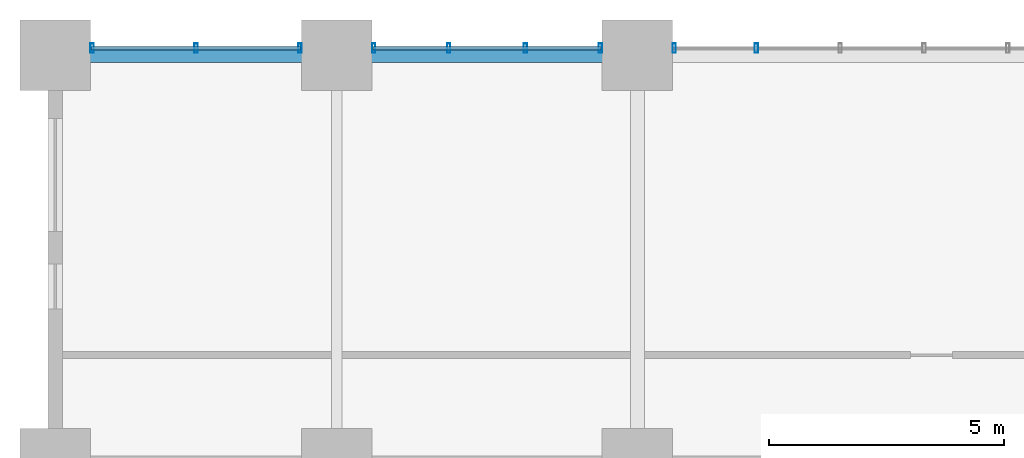
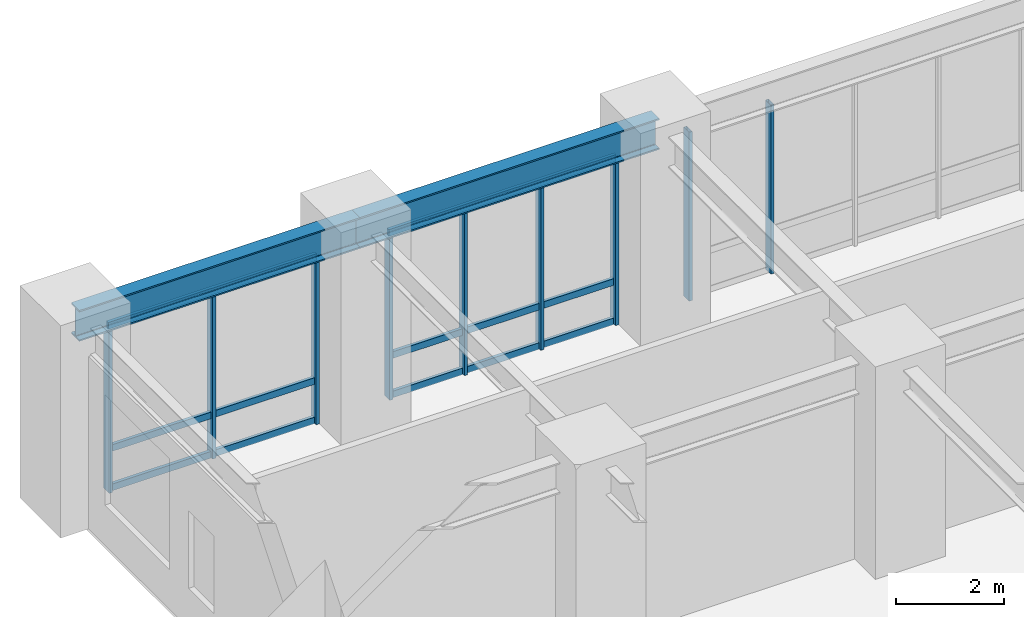
# One storey, part 2 of 22: 15 members, 2 beams, 3 elements without a shape of their own.
"""IFC4 building model written with IfcOpenShell, lengths in metres."""

from ifc_helpers import new_model, si_unit, direction, frame, origin, origin_2d, place, context, subcontext, project, spatial, hollow_rectangle, i_section, extrude, source, transform, mapped, material, layer, layer_set, material_profile, profile_set, type_object, element, aggregate, save


model = new_model("IFC4")

# Units and contexts
model_context = context("Model", 3, precision=1e-05, world=origin(), true_north=direction((0.0, 1.0)))
body_context = subcontext(model_context, "Body", "Model", "MODEL_VIEW")
ifc_project = project(units=[si_unit("LENGTHUNIT", "METRE"), si_unit("AREAUNIT", "SQUARE_METRE"), si_unit("VOLUMEUNIT", "CUBIC_METRE"), si_unit("PLANEANGLEUNIT", "RADIAN"), si_unit("MASSUNIT", "GRAM", prefix="KILO")], contexts=[model_context])

# Site, building, storey
site_placement = place(None, origin())
site = spatial("IfcSite", under=ifc_project, at=site_placement, CompositionType="ELEMENT")
building_placement = place(site_placement, origin())
building = spatial("IfcBuilding", under=site, at=building_placement, Name="Kaliganga Portal Commons", CompositionType="ELEMENT")
storey_placement = place(building_placement, frame((0.0, 0.0, 5.39990234375)))
storey = spatial("IfcBuildingStorey", under=building, at=storey_placement, Name="L01", CompositionType="ELEMENT", Elevation=5.39990234375)

# Beams
ifc_material_1 = material(Name="Structural steel S355J2", Category="steel")
ifc_material_profile_1 = material_profile(ifc_material_1, i_section(OverallWidth=0.300048828125, OverallDepth=0.699951171875, WebThickness=0.01708984375, FlangeThickness=0.031982421875, FilletRadius=0.027099609375, at=origin_2d()), Name="HE 700 B")
ifc_profile_set_1 = profile_set([ifc_material_profile_1], Name="Structural steel S355J2 wide-flange")
beam_type = type_object("IfcBeamType", Name="BM-GIRD-700", PredefinedType="USERDEFINED", material=ifc_profile_set_1)
shared_shape_1 = source(origin(), body_context, "Body", "SweptSolid", [
    extrude(i_section(OverallWidth=0.300048828125, OverallDepth=0.699951171875, WebThickness=0.01708984375, FlangeThickness=0.031982421875, FilletRadius=0.027099609375, at=origin_2d()), origin(), (0.0, 0.0, 1.0), 6.0),
])
beam_1_placement = place(storey_placement, frame((-12.0, 44.85009765625, 4.170166015625), z_axis=(1.0, 0.0, 0.0), x_axis=(0.0, 1.0, 0.0)))
element("IfcBeam", 1, at=beam_1_placement, inside=storey, type_object=beam_type, Name="BM PODW L01 Y44 1", ObjectType="GIRDER", PredefinedType="USERDEFINED", context=body_context, shape_type="MappedRepresentation", body=[
    mapped(shared_shape_1, transform((0.0, 0.0, 0.0), x_axis=(1.0, 0.0, 0.0), y_axis=(0.0, 1.0, 0.0), z_axis=(0.0, 0.0, 1.0), scale=1.0)),
])
shared_shape_2 = source(origin(), body_context, "Body", "SweptSolid", [
    extrude(i_section(OverallWidth=0.300048828125, OverallDepth=0.699951171875, WebThickness=0.01708984375, FlangeThickness=0.031982421875, FilletRadius=0.027099609375, at=origin_2d()), origin(), (0.0, 0.0, 1.0), 6.39990234375),
])
beam_2_placement = place(storey_placement, frame((-6.0, 44.85009765625, 4.170166015625), z_axis=(1.0, 0.0, 0.0), x_axis=(0.0, 1.0, 0.0)))
element("IfcBeam", 2, at=beam_2_placement, inside=storey, type_object=beam_type, Name="BM PODW L01 Y44 2", ObjectType="GIRDER", PredefinedType="USERDEFINED", context=body_context, shape_type="MappedRepresentation", body=[
    mapped(shared_shape_2, transform((0.0, 0.0, 0.0), x_axis=(1.0, 0.0, 0.0), y_axis=(0.0, 1.0, 0.0), z_axis=(0.0, 0.0, 1.0), scale=1.0)),
])

# Curtain wall, members
ifc_material_2 = material(Name="Anodized Aluminium and Laminated Low-E Glass", Category="aluminium")
ifc_layer = layer(ifc_material_2, 0.219970703125)
ifc_layer_set = layer_set([ifc_layer], Name="Anodized Aluminium and Laminated Low-E Glass")
curtain_wall_type = type_object("IfcCurtainWallType", Name="CW-SYS-01", PredefinedType="NOTDEFINED", material=ifc_layer_set)
curtain_wall_1_placement = place(storey_placement, origin())
curtain_wall_1 = element("IfcCurtainWall", 3, at=curtain_wall_1_placement, inside=storey, type_object=curtain_wall_type, Name="CW 01 L01 P1E02S9", PredefinedType="NOTDEFINED")
ifc_material_3 = material(Name="Dark Bronze Anodized Aluminium", Category="aluminium")
ifc_material_profile_2 = material_profile(ifc_material_3, hollow_rectangle(XDim=0.070068359375, YDim=0.14990234375, WallThickness=0.00341796875, at=origin_2d()), Name="ALU TRAN 70x150x3.5")
ifc_profile_set_2 = profile_set([ifc_material_profile_2], Name="Dark Bronze Anodized Aluminium")
member_type_1 = type_object("IfcMemberType", Name="CW-TRN-150", PredefinedType="USERDEFINED", material=ifc_profile_set_2)
shared_shape_3 = source(origin(), body_context, "Body", "SweptSolid", [
    extrude(hollow_rectangle(XDim=0.070068359375, YDim=0.14990234375, WallThickness=0.00341796875, at=origin_2d()), origin(), (0.0, 0.0, 1.0), 4.4580078125),
])
member_1_placement = place(storey_placement, frame((-6.77099609375, 45.0, 0.06005859375), z_axis=(-1.0, 0.0, 0.0), x_axis=(0.0, -1.0, 0.0)))
member_1 = element("IfcMember", 4, at=member_1_placement, type_object=member_type_1, Name="CW:01:L01:P1E02S9 Transom 1", ObjectType="TRANSOM", PredefinedType="USERDEFINED", context=body_context, shape_type="MappedRepresentation", body=[
    mapped(shared_shape_3, transform((0.0, 0.0, 0.0), x_axis=(1.0, 0.0, 0.0), y_axis=(0.0, 1.0, 0.0), z_axis=(0.0, 0.0, 1.0), scale=1.0)),
])
member_2_placement = place(storey_placement, frame((-6.77099609375, 45.0, 0.9501953125), z_axis=(-1.0, 0.0, 0.0), x_axis=(0.0, -1.0, 0.0)))
member_2 = element("IfcMember", 5, at=member_2_placement, type_object=member_type_1, Name="CW:01:L01:P1E02S9 Transom 2", ObjectType="TRANSOM", PredefinedType="USERDEFINED", context=body_context, shape_type="MappedRepresentation", body=[
    mapped(shared_shape_3, transform((0.0, 0.0, 0.0), x_axis=(1.0, 0.0, 0.0), y_axis=(0.0, 1.0, 0.0), z_axis=(0.0, 0.0, 1.0), scale=1.0)),
])
member_3_placement = place(storey_placement, frame((-6.77099609375, 45.0, 3.739990234375), z_axis=(-1.0, 0.0, 0.0), x_axis=(0.0, -1.0, 0.0)))
member_3 = element("IfcMember", 6, at=member_3_placement, type_object=member_type_1, Name="CW:01:L01:P1E02S9 Transom 3", ObjectType="TRANSOM", PredefinedType="USERDEFINED", context=body_context, shape_type="MappedRepresentation", body=[
    mapped(shared_shape_3, transform((0.0, 0.0, 0.0), x_axis=(1.0, 0.0, 0.0), y_axis=(0.0, 1.0, 0.0), z_axis=(0.0, 0.0, 1.0), scale=1.0)),
])

curtain_wall_2_placement = place(storey_placement, origin())
curtain_wall_2 = element("IfcCurtainWall", 7, at=curtain_wall_2_placement, inside=storey, type_object=curtain_wall_type, Name="CW 01 L01 P1E02S8", PredefinedType="NOTDEFINED")
shared_shape_4 = source(origin(), body_context, "Body", "SweptSolid", [
    extrude(hollow_rectangle(XDim=0.070068359375, YDim=0.14990234375, WallThickness=0.00341796875, at=origin_2d()), origin(), (0.0, 0.0, 1.0), 4.85791015625),
])
member_4_placement = place(storey_placement, frame((-0.37109375, 45.0, 0.06005859375), z_axis=(-1.0, 0.0, 0.0), x_axis=(0.0, -1.0, 0.0)))
member_4 = element("IfcMember", 8, at=member_4_placement, type_object=member_type_1, Name="CW:01:L01:P1E02S8 Transom 1", ObjectType="TRANSOM", PredefinedType="USERDEFINED", context=body_context, shape_type="MappedRepresentation", body=[
    mapped(shared_shape_4, transform((0.0, 0.0, 0.0), x_axis=(1.0, 0.0, 0.0), y_axis=(0.0, 1.0, 0.0), z_axis=(0.0, 0.0, 1.0), scale=1.0)),
])
member_5_placement = place(storey_placement, frame((-0.37109375, 45.0, 0.9501953125), z_axis=(-1.0, 0.0, 0.0), x_axis=(0.0, -1.0, 0.0)))
member_5 = element("IfcMember", 9, at=member_5_placement, type_object=member_type_1, Name="CW:01:L01:P1E02S8 Transom 2", ObjectType="TRANSOM", PredefinedType="USERDEFINED", context=body_context, shape_type="MappedRepresentation", body=[
    mapped(shared_shape_4, transform((0.0, 0.0, 0.0), x_axis=(1.0, 0.0, 0.0), y_axis=(0.0, 1.0, 0.0), z_axis=(0.0, 0.0, 1.0), scale=1.0)),
])
member_6_placement = place(storey_placement, frame((-0.37109375, 45.0, 3.739990234375), z_axis=(-1.0, 0.0, 0.0), x_axis=(0.0, -1.0, 0.0)))
member_6 = element("IfcMember", 10, at=member_6_placement, type_object=member_type_1, Name="CW:01:L01:P1E02S8 Transom 3", ObjectType="TRANSOM", PredefinedType="USERDEFINED", context=body_context, shape_type="MappedRepresentation", body=[
    mapped(shared_shape_4, transform((0.0, 0.0, 0.0), x_axis=(1.0, 0.0, 0.0), y_axis=(0.0, 1.0, 0.0), z_axis=(0.0, 0.0, 1.0), scale=1.0)),
])

curtain_wall_3_placement = place(storey_placement, origin())
curtain_wall_3 = element("IfcCurtainWall", 11, at=curtain_wall_3_placement, inside=storey, type_object=curtain_wall_type, Name="CW 01 L01 P1E02S7", PredefinedType="NOTDEFINED")
ifc_material_profile_3 = material_profile(ifc_material_3, hollow_rectangle(XDim=0.070068359375, YDim=0.199951171875, WallThickness=0.00390625, at=origin_2d()), Name="ALU MULL 70x200x4")
ifc_profile_set_3 = profile_set([ifc_material_profile_3], Name="Dark Bronze Anodized Aluminium")
member_type_2 = type_object("IfcMemberType", Name="CW-MUL-220", PredefinedType="MULLION", material=ifc_profile_set_3)
shared_shape_5 = source(origin(), body_context, "Body", "SweptSolid", [
    extrude(hollow_rectangle(XDim=0.070068359375, YDim=0.199951171875, WallThickness=0.00390625, at=origin_2d()), origin(), (0.0, 0.0, 1.0), 3.820068359375),
])
member_7_placement = place(storey_placement, frame((2.936279296875, 45.0, 0.0), z_axis=(0.0, 0.0, 1.0), x_axis=(-1.0, 0.0, 0.0)))
member_7 = element("IfcMember", 12, at=member_7_placement, type_object=member_type_2, Name="CW:01:L01:P1E02S7 Mullion 06", PredefinedType="MULLION", context=body_context, shape_type="MappedRepresentation", body=[
    mapped(shared_shape_5, transform((0.0, 0.0, 0.0), x_axis=(1.0, 0.0, 0.0), y_axis=(0.0, 1.0, 0.0), z_axis=(0.0, 0.0, 1.0), scale=1.0)),
])
member_8_placement = place(storey_placement, frame((1.18603515625, 45.0, 0.0), z_axis=(0.0, 0.0, 1.0), x_axis=(-1.0, 0.0, 0.0)))
member_8 = element("IfcMember", 13, at=member_8_placement, type_object=member_type_2, Name="CW:01:L01:P1E02S7 Mullion 07", PredefinedType="MULLION", context=body_context, shape_type="MappedRepresentation", body=[
    mapped(shared_shape_5, transform((0.0, 0.0, 0.0), x_axis=(1.0, 0.0, 0.0), y_axis=(0.0, 1.0, 0.0), z_axis=(0.0, 0.0, 1.0), scale=1.0)),
])
aggregate(curtain_wall_3, [member_7, member_8])

# Member
member_9_placement = place(storey_placement, frame((-0.385986328125, 45.0, 0.0), z_axis=(0.0, 0.0, 1.0), x_axis=(-1.0, 0.0, 0.0)))
member_9 = element("IfcMember", 14, at=member_9_placement, type_object=member_type_2, Name="CW:01:L01:P1E02S8 Mullion 00", PredefinedType="MULLION", context=body_context, shape_type="MappedRepresentation", body=[
    mapped(shared_shape_5, transform((0.0, 0.0, 0.0), x_axis=(1.0, 0.0, 0.0), y_axis=(0.0, 1.0, 0.0), z_axis=(0.0, 0.0, 1.0), scale=1.0)),
])

member_10_placement = place(storey_placement, frame((-1.983642578125, 45.0, 0.0), z_axis=(0.0, 0.0, 1.0), x_axis=(-1.0, 0.0, 0.0)))
member_10 = element("IfcMember", 15, at=member_10_placement, type_object=member_type_2, Name="CW:01:L01:P1E02S8 Mullion 01", PredefinedType="MULLION", context=body_context, shape_type="MappedRepresentation", body=[
    mapped(shared_shape_5, transform((0.0, 0.0, 0.0), x_axis=(1.0, 0.0, 0.0), y_axis=(0.0, 1.0, 0.0), z_axis=(0.0, 0.0, 1.0), scale=1.0)),
])

member_11_placement = place(storey_placement, frame((-3.6162109375, 45.0, 0.0), z_axis=(0.0, 0.0, 1.0), x_axis=(-1.0, 0.0, 0.0)))
member_11 = element("IfcMember", 16, at=member_11_placement, type_object=member_type_2, Name="CW:01:L01:P1E02S8 Mullion 02", PredefinedType="MULLION", context=body_context, shape_type="MappedRepresentation", body=[
    mapped(shared_shape_5, transform((0.0, 0.0, 0.0), x_axis=(1.0, 0.0, 0.0), y_axis=(0.0, 1.0, 0.0), z_axis=(0.0, 0.0, 1.0), scale=1.0)),
])

member_12_placement = place(storey_placement, frame((-5.214111328125, 45.0, 0.0), z_axis=(0.0, 0.0, 1.0), x_axis=(-1.0, 0.0, 0.0)))
member_12 = element("IfcMember", 17, at=member_12_placement, type_object=member_type_2, Name="CW:01:L01:P1E02S8 Mullion 03", PredefinedType="MULLION", context=body_context, shape_type="MappedRepresentation", body=[
    mapped(shared_shape_5, transform((0.0, 0.0, 0.0), x_axis=(1.0, 0.0, 0.0), y_axis=(0.0, 1.0, 0.0), z_axis=(0.0, 0.0, 1.0), scale=1.0)),
])

aggregate(curtain_wall_2, [member_9, member_10, member_11, member_12, member_4, member_5, member_6])

member_13_placement = place(storey_placement, frame((-6.785888671875, 45.0, 0.0), z_axis=(0.0, 0.0, 1.0), x_axis=(-1.0, 0.0, 0.0)))
member_13 = element("IfcMember", 18, at=member_13_placement, type_object=member_type_2, Name="CW:01:L01:P1E02S9 Mullion 00", PredefinedType="MULLION", context=body_context, shape_type="MappedRepresentation", body=[
    mapped(shared_shape_5, transform((0.0, 0.0, 0.0), x_axis=(1.0, 0.0, 0.0), y_axis=(0.0, 1.0, 0.0), z_axis=(0.0, 0.0, 1.0), scale=1.0)),
])

member_14_placement = place(storey_placement, frame((-9.0, 45.0, 0.0), z_axis=(0.0, 0.0, 1.0), x_axis=(-1.0, 0.0, 0.0)))
member_14 = element("IfcMember", 19, at=member_14_placement, type_object=member_type_2, Name="CW:01:L01:P1E02S9 Mullion 01", PredefinedType="MULLION", context=body_context, shape_type="MappedRepresentation", body=[
    mapped(shared_shape_5, transform((0.0, 0.0, 0.0), x_axis=(1.0, 0.0, 0.0), y_axis=(0.0, 1.0, 0.0), z_axis=(0.0, 0.0, 1.0), scale=1.0)),
])

member_15_placement = place(storey_placement, frame((-11.214111328125, 45.0, 0.0), z_axis=(0.0, 0.0, 1.0), x_axis=(-1.0, 0.0, 0.0)))
member_15 = element("IfcMember", 20, at=member_15_placement, type_object=member_type_2, Name="CW:01:L01:P1E02S9 Mullion 02", PredefinedType="MULLION", context=body_context, shape_type="MappedRepresentation", body=[
    mapped(shared_shape_5, transform((0.0, 0.0, 0.0), x_axis=(1.0, 0.0, 0.0), y_axis=(0.0, 1.0, 0.0), z_axis=(0.0, 0.0, 1.0), scale=1.0)),
])

aggregate(curtain_wall_1, [member_13, member_14, member_15, member_1, member_2, member_3])

save(model, "model.ifc")
